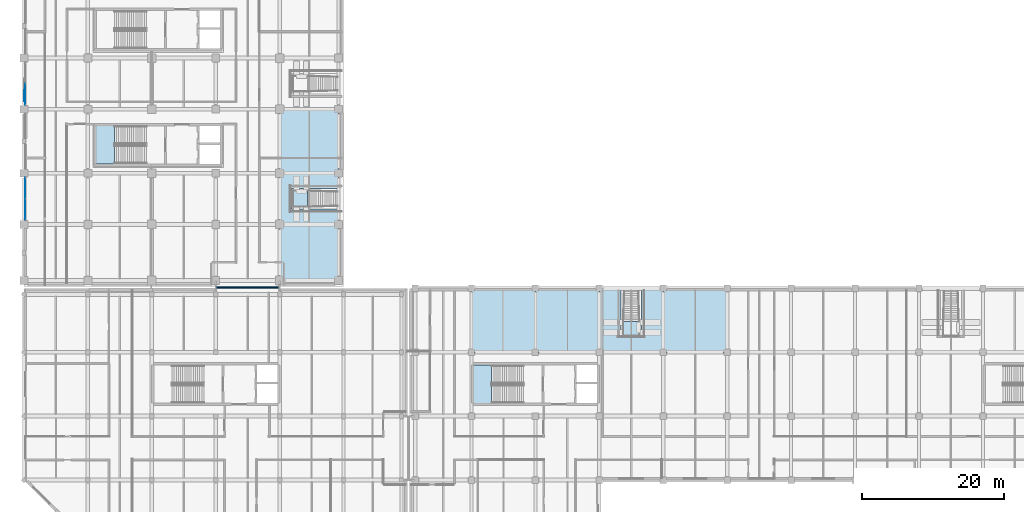
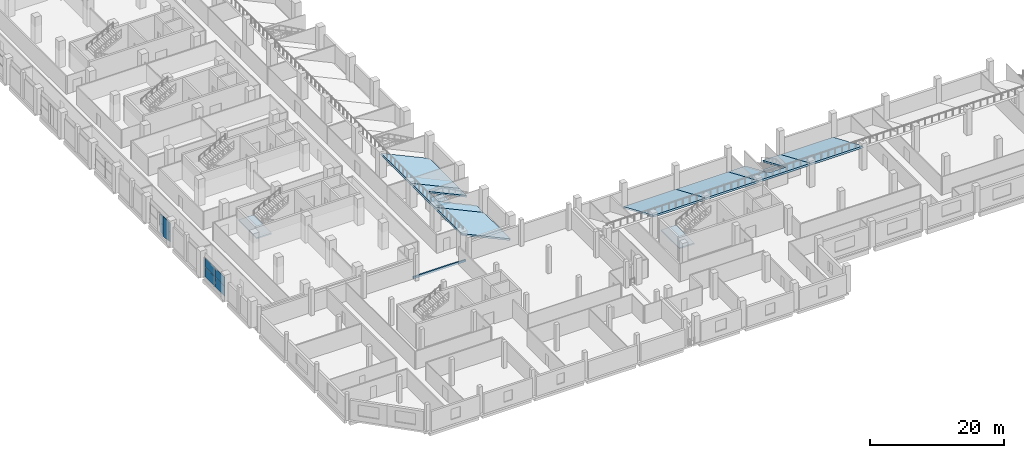
# One storey, part 43 of 100: 12 slabs, 7 plates, 4 elements without a shape of their own.
"""IFC4 building model written with IfcOpenShell, lengths in metres."""

from ifc_helpers import new_model, si_unit, direction, frame, origin, origin_2d, place, context, subcontext, project, spatial, polyline, rectangle, outline, extrude, material, layer, layer_set, type_object, element, aggregate, save


model = new_model("IFC4")

# Units and contexts
model_context = context("Model", 3, precision=1e-05, world=origin(), true_north=direction((0.0, 1.0)))
body_context = subcontext(model_context, "Body", "Model", "MODEL_VIEW")
ifc_project = project(units=[si_unit("LENGTHUNIT", "METRE"), si_unit("AREAUNIT", "SQUARE_METRE"), si_unit("VOLUMEUNIT", "CUBIC_METRE"), si_unit("PLANEANGLEUNIT", "RADIAN"), si_unit("MASSUNIT", "GRAM", prefix="KILO"), si_unit("THERMODYNAMICTEMPERATUREUNIT", "KELVIN"), si_unit("POWERUNIT", "WATT")], contexts=[model_context])

# Site, building, storey
site_placement = place(None, origin())
site = spatial("IfcSite", under=ifc_project, at=site_placement, CompositionType="ELEMENT")
building_placement = place(site_placement, origin())
building = spatial("IfcBuilding", under=site, at=building_placement, Name="Sindhuravela Promenade Stadium", CompositionType="ELEMENT")
storey_placement = place(building_placement, frame((0.0, 0.0, 4.800048828125)))
storey = spatial("IfcBuildingStorey", under=building, at=storey_placement, Name="L01", CompositionType="ELEMENT", Elevation=4.800048828125)

# Plate
ifc_material_1 = material(Name="Perforated terracotta celosia brick (15 MPa)", Category="masonry")
ifc_layer_1 = layer(ifc_material_1, 0.114990234375)
ifc_layer_set_1 = layer_set([ifc_layer_1], Name="Perforated terracotta celosia brick (15 MPa)")
plate_type_1 = type_object("IfcPlateType", Name="CL-SCR-02", PredefinedType="USERDEFINED", material=ifc_layer_set_1)
plate_1_placement = place(storey_placement, frame((0.1201171875, 63.10498046875, 0.0), z_axis=(0.0, 0.0, 1.0), x_axis=(0.0, 1.0, 0.0)))
element("IfcPlate", 1, at=plate_1_placement, inside=storey, type_object=plate_type_1, Name="Perforated brick celosia screen WEST L01-1", ObjectType="SCREEN PANEL", PredefinedType="USERDEFINED", context=body_context, shape_type="SweptSolid", body=[
    extrude(rectangle(XDim=1.56005859375, YDim=0.114990234375, at=origin_2d()), origin(), (0.0, 0.0, 1.0), 3.580078125),
])

# Curtain wall, plates
ifc_material_2 = material(Name="Anodised architectural aluminium 6063-T6", Category="aluminium")
curtain_wall_type_1 = type_object("IfcCurtainWallType", Name="CW-MOD-3", PredefinedType="NOTDEFINED", material=ifc_material_2)
curtain_wall_1_placement = place(storey_placement, origin())
curtain_wall_1 = element("IfcCurtainWall", 2, at=curtain_wall_1_placement, inside=storey, type_object=curtain_wall_type_1, Name="Bronze curtain wall CW-WEST-L01-002", PredefinedType="NOTDEFINED")
ifc_material_3 = material(Name="Tempered laminated low-E glass", Category="glass")
ifc_layer_2 = layer(ifc_material_3, 0.028076171875)
ifc_layer_set_2 = layer_set([ifc_layer_2], Name="Tempered laminated low-E glass")
plate_type_2 = type_object("IfcPlateType", Name="CW-PNL-01", PredefinedType="CURTAIN_PANEL", material=ifc_layer_set_2)
plate_2_placement = place(storey_placement, frame((0.199951171875, 63.300048828125, 0.01513671875), z_axis=(0.0, 0.0, 1.0), x_axis=(0.0, 1.0, 0.0)))
plate_2 = element("IfcPlate", 3, at=plate_2_placement, type_object=plate_type_2, Name="Glazed curtain panel CW-WEST-L01-002-P1.1", PredefinedType="CURTAIN_PANEL", context=body_context, shape_type="SweptSolid", body=[
    extrude(rectangle(XDim=2.93994140625, YDim=0.028076171875, at=origin_2d()), origin(), (0.0, 0.0, 1.0), 1.760009765625),
])
plate_3_placement = place(storey_placement, frame((0.199951171875, 63.300048828125, 1.80517578125), z_axis=(0.0, 0.0, 1.0), x_axis=(0.0, 1.0, 0.0)))
plate_3 = element("IfcPlate", 4, at=plate_3_placement, type_object=plate_type_2, Name="Glazed curtain panel CW-WEST-L01-002-P1.2", PredefinedType="CURTAIN_PANEL", context=body_context, shape_type="SweptSolid", body=[
    extrude(rectangle(XDim=2.93994140625, YDim=0.028076171875, at=origin_2d()), origin(), (0.0, 0.0, 1.0), 1.679931640625),
])
aggregate(curtain_wall_1, [plate_2, plate_3])

curtain_wall_type_2 = type_object("IfcCurtainWallType", Name="CW-MOD-2", PredefinedType="NOTDEFINED", material=ifc_material_2)
curtain_wall_2_placement = place(storey_placement, origin())
curtain_wall_2 = element("IfcCurtainWall", 5, at=curtain_wall_2_placement, inside=storey, type_object=curtain_wall_type_2, Name="Bronze curtain wall CW-WEST-L01-001", PredefinedType="NOTDEFINED")
ifc_layer_3 = layer(ifc_material_3, 0.0400390625)
ifc_layer_set_3 = layer_set([ifc_layer_3], Name="Tempered laminated low-E glass")
plate_type_3 = type_object("IfcPlateType", Name="CW-PNL-02", PredefinedType="CURTAIN_PANEL", material=ifc_layer_set_3)
plate_4_placement = place(storey_placement, frame((0.199951171875, 47.10009765625, 0.01513671875), z_axis=(0.0, 0.0, 1.0), x_axis=(0.0, 1.0, 0.0)))
plate_4 = element("IfcPlate", 6, at=plate_4_placement, type_object=plate_type_3, Name="Glazed curtain panel CW-WEST-L01-001-P1.1", PredefinedType="CURTAIN_PANEL", context=body_context, shape_type="SweptSolid", body=[
    extrude(rectangle(XDim=2.93994140625, YDim=0.0400390625, at=origin_2d()), origin(), (0.0, 0.0, 1.0), 1.760009765625),
])
plate_5_placement = place(storey_placement, frame((0.199951171875, 47.10009765625, 1.80517578125), z_axis=(0.0, 0.0, 1.0), x_axis=(0.0, 1.0, 0.0)))
plate_5 = element("IfcPlate", 7, at=plate_5_placement, type_object=plate_type_3, Name="Glazed curtain panel CW-WEST-L01-001-P1.2", PredefinedType="CURTAIN_PANEL", context=body_context, shape_type="SweptSolid", body=[
    extrude(rectangle(XDim=2.93994140625, YDim=0.0400390625, at=origin_2d()), origin(), (0.0, 0.0, 1.0), 1.679931640625),
])
plate_6_placement = place(storey_placement, frame((0.199951171875, 50.10009765625, 0.01513671875), z_axis=(0.0, 0.0, 1.0), x_axis=(0.0, 1.0, 0.0)))
plate_6 = element("IfcPlate", 8, at=plate_6_placement, type_object=plate_type_3, Name="Glazed curtain panel CW-WEST-L01-001-P2.1", PredefinedType="CURTAIN_PANEL", context=body_context, shape_type="SweptSolid", body=[
    extrude(rectangle(XDim=2.93994140625, YDim=0.0400390625, at=origin_2d()), origin(), (0.0, 0.0, 1.0), 1.760009765625),
])
plate_7_placement = place(storey_placement, frame((0.199951171875, 50.10009765625, 1.80517578125), z_axis=(0.0, 0.0, 1.0), x_axis=(0.0, 1.0, 0.0)))
plate_7 = element("IfcPlate", 9, at=plate_7_placement, type_object=plate_type_3, Name="Glazed curtain panel CW-WEST-L01-001-P2.2", PredefinedType="CURTAIN_PANEL", context=body_context, shape_type="SweptSolid", body=[
    extrude(rectangle(XDim=2.93994140625, YDim=0.0400390625, at=origin_2d()), origin(), (0.0, 0.0, 1.0), 1.679931640625),
])
aggregate(curtain_wall_2, [plate_4, plate_5, plate_6, plate_7])

# Slabs
ifc_material_4 = material(Name="Concrete M50", Category="concrete")
ifc_layer_4 = layer(ifc_material_4, 0.360107421875)
ifc_layer_set_4 = layer_set([ifc_layer_4], Name="Concrete M50")
slab_type_1 = type_object("IfcSlabType", Name="SL-BRG-360", PredefinedType="FLOOR", material=ifc_layer_set_4)
slab_1_placement = place(storey_placement, frame((0.0, 0.0, -0.360107421875)))
element("IfcSlab", 10, at=slab_1_placement, inside=storey, type_object=slab_type_1, Name="Concourse link bridge L01 West-SW", PredefinedType="FLOOR", context=body_context, shape_type="SweptSolid", body=[
    extrude(outline(polyline([(27.0, 36.0), (36.0, 36.0), (36.0, 36.25), (27.0, 36.25), (27.0, 36.0)])), origin(), (0.0, 0.0, 1.0), 0.360107421875),
])
ifc_material_5 = material(Name="Concrete M40", Category="concrete")
ifc_layer_5 = layer(ifc_material_5, 0.25)
ifc_layer_set_5 = layer_set([ifc_layer_5], Name="Concrete M40")
slab_type_2 = type_object("IfcSlabType", Name="SL-FLR-250", PredefinedType="FLOOR", material=ifc_layer_set_5)
slab_2_placement = place(storey_placement, frame((0.0, 0.0, 2.0)))
element("IfcSlab", 11, at=slab_2_placement, inside=storey, type_object=slab_type_2, Name="Vomitory VS01 tier landing slab", PredefinedType="FLOOR", context=body_context, shape_type="SweptSolid", body=[
    extrude(outline(polyline([(39.95068359375, 49.81005859375), (37.800048828125, 49.81005859375), (37.800048828125, 47.389892578125), (39.95068359375, 47.389892578125), (39.95068359375, 49.81005859375)])), origin(), (0.0, 0.0, 1.0), 0.25),
])
slab_3_placement = place(storey_placement, frame((0.0, 0.0, 2.0)))
element("IfcSlab", 12, at=slab_3_placement, inside=storey, type_object=slab_type_2, Name="Vomitory VS11 tier landing slab", PredefinedType="FLOOR", context=body_context, shape_type="SweptSolid", body=[
    extrude(outline(polyline([(84.2900390625, 31.360595703125), (84.2900390625, 29.2099609375), (86.7099609375, 29.2099609375), (86.7099609375, 31.360595703125), (84.2900390625, 31.360595703125)])), origin(), (0.0, 0.0, 1.0), 0.25),
])

# Stair, slab
stair_type = type_object("IfcStairType", Name="ST-CORE-DOGLEG", PredefinedType="HALF_TURN_STAIR", material=ifc_material_5)
stair_1_placement = place(storey_placement, origin())
stair_1 = element("IfcStair", 13, at=stair_1_placement, inside=storey, type_object=stair_type, Name="Protected escape stair ST01 (L01)", PredefinedType="HALF_TURN_STAIR")
ifc_layer_6 = layer(ifc_material_5, 0.219970703125)
ifc_layer_set_6 = layer_set([ifc_layer_6], Name="Concrete M40")
slab_type_3 = type_object("IfcSlabType", Name="SL-LND-220", PredefinedType="LANDING", material=ifc_layer_set_6)
slab_4_placement = place(storey_placement, frame((0.0, 0.0, 2.179931640625)))
slab_4 = element("IfcSlab", 14, at=slab_4_placement, type_object=slab_type_3, Name="Stair ST01 half-landing (L01)", PredefinedType="LANDING", context=body_context, shape_type="SweptSolid", body=[
    extrude(outline(polyline([(10.179931640625, 53.47998046875), (12.751953125, 53.47998046875), (12.751953125, 58.919921875), (10.179931640625, 58.919921875), (10.179931640625, 53.47998046875)])), origin(), (0.0, 0.0, 1.0), 0.219970703125),
])
aggregate(stair_1, [slab_4])

stair_2_placement = place(storey_placement, origin())
stair_2 = element("IfcStair", 15, at=stair_2_placement, inside=storey, type_object=stair_type, Name="Protected escape stair ST11 (L01)", PredefinedType="HALF_TURN_STAIR")
slab_5_placement = place(storey_placement, frame((0.0, 0.0, 2.179931640625)))
slab_5 = element("IfcSlab", 16, at=slab_5_placement, type_object=slab_type_3, Name="Stair ST11 half-landing (L01)", PredefinedType="LANDING", context=body_context, shape_type="SweptSolid", body=[
    extrude(outline(polyline([(63.280029296875, 19.780029296875), (65.85205078125, 19.780029296875), (65.85205078125, 25.219970703125), (63.280029296875, 25.219970703125), (63.280029296875, 19.780029296875)])), origin(), (0.0, 0.0, 1.0), 0.219970703125),
])
aggregate(stair_2, [slab_5])

# Slabs
ifc_material_6 = material(Name="Precast concrete M50", Category="concrete")
ifc_layer_7 = layer(ifc_material_6, 0.2900390625)
ifc_layer_set_7 = layer_set([ifc_layer_7], Name="Precast concrete M50")
slab_type_4 = type_object("IfcSlabType", Name="SL-TR1-290", PredefinedType="USERDEFINED", material=ifc_layer_set_7)
slab_6_placement = place(storey_placement, frame((44.300048828125, 37.10009765625, 0.199951171875), z_axis=(0.42079690446234874, 0.0, 0.9071548738748555), x_axis=(0.0, 1.0, 0.0)))
element("IfcSlab", 17, at=slab_6_placement, inside=storey, type_object=slab_type_4, Name="Stand lower tier West rear bay 1", ObjectType="SEATING TIER", PredefinedType="USERDEFINED", context=body_context, shape_type="SweptSolid", body=[
    extrude(outline(polyline([(0.0, 0.0), (7.89990234375, 0.0), (7.89990234375, 9.149538923460621), (0.0, 9.149538923460621), (0.0, 0.0)])), origin(), (0.0, 0.0, -1.0), 0.2900390625),
])
slab_7_placement = place(storey_placement, frame((44.300048828125, 45.0, 0.199951171875), z_axis=(0.42079715809789764, 0.0, 0.9071547562222959), x_axis=(0.0, 1.0, 0.0)))
element("IfcSlab", 18, at=slab_7_placement, inside=storey, type_object=slab_type_4, Name="Stand lower tier West rear bay 2", ObjectType="SEATING TIER", PredefinedType="USERDEFINED", context=body_context, shape_type="SweptSolid", body=[
    extrude(outline(polyline([(0.0, 0.0), (2.14990234375, 0.0), (2.14990234375, 7.220428610160233), (5.050048828125, 7.220428610160233), (5.050048828125, 0.0), (7.199951171875, 0.0), (7.199951171875, 9.149538923460264), (0.0, 9.149538923460264), (0.0, 0.0)])), origin(), (0.0, 0.0, -1.0), 0.2900390625),
])
slab_8_placement = place(storey_placement, frame((44.300048828125, 52.199951171875, 0.199951171875), z_axis=(0.42079690446234874, 0.0, 0.9071548738748555), x_axis=(0.0, 1.0, 0.0)))
element("IfcSlab", 19, at=slab_8_placement, inside=storey, type_object=slab_type_4, Name="Stand lower tier West rear bay 3", ObjectType="SEATING TIER", PredefinedType="USERDEFINED", context=body_context, shape_type="SweptSolid", body=[
    extrude(outline(polyline([(0.0, 0.0), (9.0, 0.0), (9.0, 9.149538923460621), (0.0, 9.149538923460621), (0.0, 0.0)])), origin(), (0.0, 0.0, -1.0), 0.2900390625),
])
for number, where, z_axis, x_axis, name in (
    (20, (72.0, 36.0, 0.199951171875), (0.0, 0.3933111809778274, 0.9194054137962352), (-1.0, 0.0, 0.0), "Stand lower tier South rear bay 24"),
    (21, (81.0, 36.0, 0.199951171875), (0.0, 0.3933111809778274, 0.9194054137962352), (-1.0, 0.0, 0.0), "Stand lower tier South rear bay 25"),
):
    element("IfcSlab", number, at=place(storey_placement, frame(where, z_axis=z_axis, x_axis=x_axis)), inside=storey, type_object=slab_type_4, Name=name, ObjectType="SEATING TIER", PredefinedType="USERDEFINED", context=body_context, shape_type="SweptSolid", body=[
        extrude(outline(polyline([(0.0, 0.0), (9.0, 0.0), (9.0, 9.788935180225769), (0.0, 9.788935180225769), (0.0, 0.0)])), origin(), (0.0, 0.0, -1.0), 0.2900390625),
    ])
slab_9_placement = place(storey_placement, frame((90.0, 36.0, 0.199951171875), z_axis=(0.0, 0.3933099048854284, 0.919405959693005), x_axis=(-1.0, 0.0, 0.0)))
element("IfcSlab", 22, at=slab_9_placement, inside=storey, type_object=slab_type_4, Name="Stand lower tier South rear bay 26", ObjectType="SEATING TIER", PredefinedType="USERDEFINED", context=body_context, shape_type="SweptSolid", body=[
    extrude(outline(polyline([(0.0, 0.0), (3.050048828125, 0.0), (3.050048828125, 7.559193719793829), (5.949951171875, 7.559193719793829), (5.949951171875, 0.0), (9.0, 0.0), (9.0, 9.788935180216342), (0.0, 9.788935180216342), (0.0, 0.0)])), origin(), (0.0, 0.0, -1.0), 0.2900390625),
])
slab_10_placement = place(storey_placement, frame((99.0, 36.0, 0.199951171875), z_axis=(0.0, 0.3933111809778274, 0.9194054137962352), x_axis=(-1.0, 0.0, 0.0)))
element("IfcSlab", 23, at=slab_10_placement, inside=storey, type_object=slab_type_4, Name="Stand lower tier South rear bay 27", ObjectType="SEATING TIER", PredefinedType="USERDEFINED", context=body_context, shape_type="SweptSolid", body=[
    extrude(outline(polyline([(0.0, 0.0), (9.0, 0.0), (9.0, 9.788935180225769), (0.0, 9.788935180225769), (0.0, 0.0)])), origin(), (0.0, 0.0, -1.0), 0.2900390625),
])

save(model, "model.ifc")
